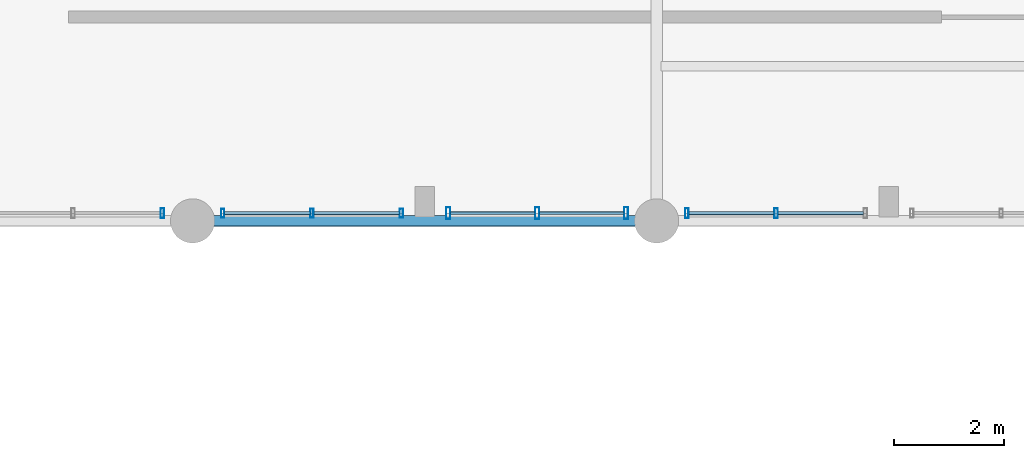
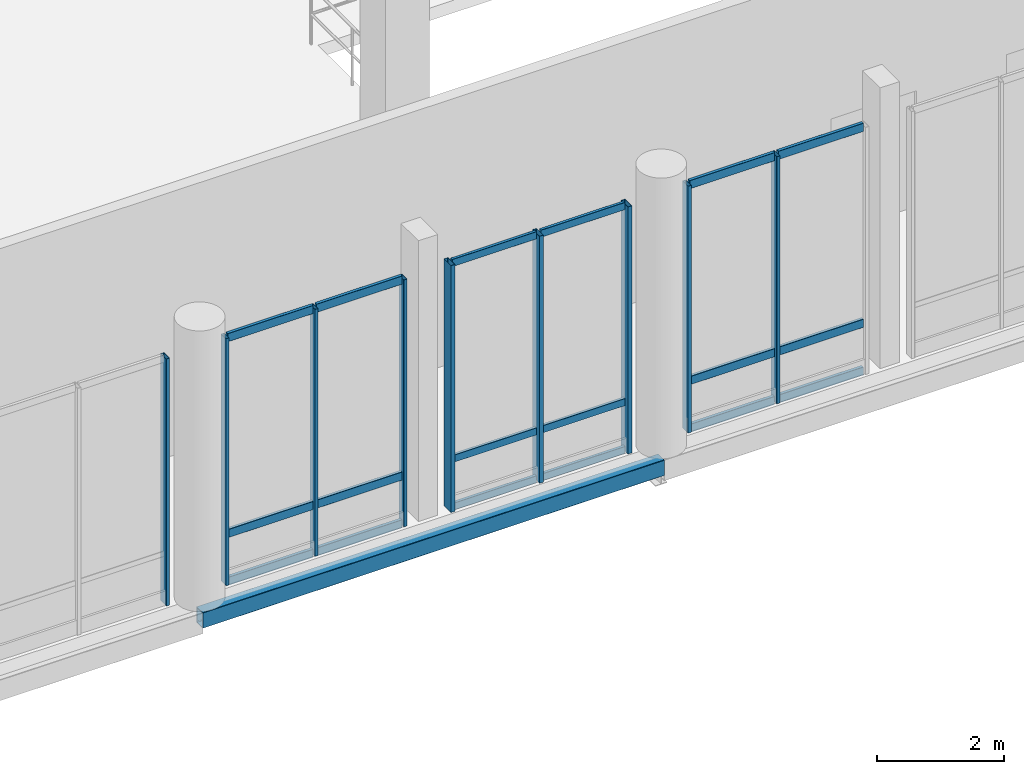
# One storey, part 24 of 128: 27 members, 1 beam, 4 elements without a shape of their own.
"""IFC4 building model written with IfcOpenShell, lengths in metres."""

from ifc_helpers import new_model, si_unit, direction, frame, origin_with_axes, origin_2d_with_axis, place, context, subcontext, project, spatial, hollow_rectangle, extrude, material, material_profile, profile_set, type_object, element, aggregate, save


model = new_model("IFC4")

# Units and contexts
model_context = context("Model", 3, precision=1e-05, world=origin_with_axes(), true_north=direction((0.0, 1.0)))
body_context = subcontext(model_context, "Body", "Model", "MODEL_VIEW")
ifc_project = project(units=[si_unit("LENGTHUNIT", "METRE"), si_unit("AREAUNIT", "SQUARE_METRE"), si_unit("VOLUMEUNIT", "CUBIC_METRE"), si_unit("PLANEANGLEUNIT", "RADIAN"), si_unit("MASSUNIT", "GRAM", prefix="KILO"), si_unit("THERMODYNAMICTEMPERATUREUNIT", "KELVIN")], contexts=[model_context])

# Site, building, storey
site_placement = place(None, origin_with_axes())
site = spatial("IfcSite", under=ifc_project, at=site_placement, CompositionType="ELEMENT")
building_placement = place(site_placement, origin_with_axes())
building = spatial("IfcBuilding", under=site, at=building_placement, Name="Montbau Bow Law Courts", CompositionType="ELEMENT")
storey_placement = place(building_placement, frame((0.0, 0.0, 5.4), z_axis=(0.0, 0.0, 1.0), x_axis=(1.0, 0.0, 0.0)))
storey = spatial("IfcBuildingStorey", under=building, at=storey_placement, Name="L01", CompositionType="ELEMENT", Elevation=5.4)

# Beam
ifc_material_1 = material(Name="Steel CSA G40.21 Grade 350WT (350 MPa)", Category="steel")
ifc_material_profile_1 = material_profile(ifc_material_1, hollow_rectangle(XDim=0.203, YDim=0.305, WallThickness=0.0127, InnerFilletRadius=0.0254, OuterFilletRadius=0.0127, at=origin_2d_with_axis()), Name="HSS305X203X13", Category="Main", Priority=0)
ifc_profile_set_1 = profile_set([ifc_material_profile_1], Name="Steel CSA G40.21 Grade 350WT (350 MPa)")
beam_type = type_object("IfcBeamType", Name="B-SPN-02", PredefinedType="SPANDREL", material=ifc_profile_set_1)
beam_placement = place(None, frame((55.2, 22.2, 5.008), z_axis=(1.0, 0.0, 0.0), x_axis=(0.0, 1.0, 0.0)))
element("IfcBeam", 1, at=beam_placement, inside=storey, type_object=beam_type, Name="SPN-L01-S1062:bm2_1065", PredefinedType="SPANDREL", context=body_context, shape_type="SweptSolid", body=[
    extrude(hollow_rectangle(XDim=0.203, YDim=0.305, WallThickness=0.0127, InnerFilletRadius=0.0254, OuterFilletRadius=0.0127, at=origin_2d_with_axis()), origin_with_axes(), (0.0, 0.0, 1.0), 8.4),
])

# Curtain wall, members
ifc_material_2 = material(Name="Thermally Broken Extruded Aluminium AA 6063-T6", Category="aluminium")
curtain_wall_type_1 = type_object("IfcCurtainWallType", Name="CW-WGC-02", PredefinedType="NOTDEFINED", material=ifc_material_2)
curtain_wall_1_placement = place(None, frame((59.79, 22.34, 5.4), z_axis=(0.0, 0.0, 1.0), x_axis=(1.0, 0.0, 0.0)))
curtain_wall_1 = element("IfcCurtainWall", 2, at=curtain_wall_1_placement, inside=storey, type_object=curtain_wall_type_1, Name="CW-L01-399:cw_0399", PredefinedType="NOTDEFINED")
ifc_material_profile_2 = material_profile(ifc_material_2, hollow_rectangle(XDim=0.075, YDim=0.22, WallThickness=0.005, InnerFilletRadius=0.01, OuterFilletRadius=0.005, at=origin_2d_with_axis()), Name="CWM-220X75", Category="Main", Priority=0)
ifc_profile_set_2 = profile_set([ifc_material_profile_2], Name="Thermally Broken Extruded Aluminium AA 6063-T6")
member_type_1 = type_object("IfcMemberType", Name="M-MUL-01", PredefinedType="MULLION", material=ifc_profile_set_2)
member_1_placement = place(None, frame((59.827, 22.34, 5.4), z_axis=(0.0, 0.0, 1.0), x_axis=(1.0, 0.0, 0.0)))
member_1 = element("IfcMember", 3, at=member_1_placement, type_object=member_type_1, Name="CW-L01-399-M01:cw_0399_M01", PredefinedType="MULLION", context=body_context, shape_type="SweptSolid", body=[
    extrude(hollow_rectangle(XDim=0.075, YDim=0.22, WallThickness=0.005, InnerFilletRadius=0.01, OuterFilletRadius=0.005, at=origin_2d_with_axis()), origin_with_axes(), (0.0, 0.0, 1.0), 4.75),
])
member_2_placement = place(None, frame((61.438, 22.34, 5.4), z_axis=(0.0, 0.0, 1.0), x_axis=(1.0, 0.0, 0.0)))
member_2 = element("IfcMember", 4, at=member_2_placement, type_object=member_type_1, Name="CW-L01-399-M02:cw_0399_M02", PredefinedType="MULLION", context=body_context, shape_type="SweptSolid", body=[
    extrude(hollow_rectangle(XDim=0.075, YDim=0.22, WallThickness=0.005, InnerFilletRadius=0.01, OuterFilletRadius=0.005, at=origin_2d_with_axis()), origin_with_axes(), (0.0, 0.0, 1.0), 4.75),
])
member_3_placement = place(None, frame((63.048, 22.34, 5.4), z_axis=(0.0, 0.0, 1.0), x_axis=(1.0, 0.0, 0.0)))
member_3 = element("IfcMember", 5, at=member_3_placement, type_object=member_type_1, Name="CW-L01-399-M03:cw_0399_M03", PredefinedType="MULLION", context=body_context, shape_type="SweptSolid", body=[
    extrude(hollow_rectangle(XDim=0.075, YDim=0.22, WallThickness=0.005, InnerFilletRadius=0.01, OuterFilletRadius=0.005, at=origin_2d_with_axis()), origin_with_axes(), (0.0, 0.0, 1.0), 4.75),
])

# Curtain wall, member
curtain_wall_2_placement = place(None, frame((51.39, 22.34, 5.4), z_axis=(0.0, 0.0, 1.0), x_axis=(1.0, 0.0, 0.0)))
curtain_wall_2 = element("IfcCurtainWall", 6, at=curtain_wall_2_placement, inside=storey, type_object=curtain_wall_type_1, Name="CW-L01-397:cw_0397", PredefinedType="NOTDEFINED")
ifc_material_profile_3 = material_profile(ifc_material_2, hollow_rectangle(XDim=0.065, YDim=0.18, WallThickness=0.005, InnerFilletRadius=0.01, OuterFilletRadius=0.005, at=origin_2d_with_axis()), Name="CWM-180X65", Category="Main", Priority=0)
ifc_profile_set_3 = profile_set([ifc_material_profile_3], Name="Thermally Broken Extruded Aluminium AA 6063-T6")
member_type_2 = type_object("IfcMemberType", Name="M-MUL-02", PredefinedType="MULLION", material=ifc_profile_set_3)
member_4_placement = place(None, frame((54.653, 22.34, 5.4), z_axis=(0.0, 0.0, 1.0), x_axis=(1.0, 0.0, 0.0)))
member_4 = element("IfcMember", 7, at=member_4_placement, type_object=member_type_2, Name="CW-L01-397-M03:cw_0397_M03", PredefinedType="MULLION", context=body_context, shape_type="SweptSolid", body=[
    extrude(hollow_rectangle(XDim=0.065, YDim=0.18, WallThickness=0.005, InnerFilletRadius=0.01, OuterFilletRadius=0.005, at=origin_2d_with_axis()), origin_with_axes(), (0.0, 0.0, 1.0), 4.75),
])
aggregate(curtain_wall_2, [member_4])

# Curtain wall, members
curtain_wall_type_2 = type_object("IfcCurtainWallType", Name="CW-WGC-01", PredefinedType="NOTDEFINED", material=ifc_material_2)
curtain_wall_3_placement = place(None, frame((64.115, 22.34, 5.4), z_axis=(0.0, 0.0, 1.0), x_axis=(1.0, 0.0, 0.0)))
curtain_wall_3 = element("IfcCurtainWall", 8, at=curtain_wall_3_placement, inside=storey, type_object=curtain_wall_type_2, Name="CW-L01-400:cw_0400", PredefinedType="NOTDEFINED")
member_5_placement = place(None, frame((64.148, 22.34, 5.4), z_axis=(0.0, 0.0, 1.0), x_axis=(1.0, 0.0, 0.0)))
member_5 = element("IfcMember", 9, at=member_5_placement, type_object=member_type_2, Name="CW-L01-400-M01:cw_0400_M01", PredefinedType="MULLION", context=body_context, shape_type="SweptSolid", body=[
    extrude(hollow_rectangle(XDim=0.065, YDim=0.18, WallThickness=0.005, InnerFilletRadius=0.01, OuterFilletRadius=0.005, at=origin_2d_with_axis()), origin_with_axes(), (0.0, 0.0, 1.0), 4.75),
])
member_6_placement = place(None, frame((65.763, 22.34, 5.4), z_axis=(0.0, 0.0, 1.0), x_axis=(1.0, 0.0, 0.0)))
member_6 = element("IfcMember", 10, at=member_6_placement, type_object=member_type_2, Name="CW-L01-400-M02:cw_0400_M02", PredefinedType="MULLION", context=body_context, shape_type="SweptSolid", body=[
    extrude(hollow_rectangle(XDim=0.065, YDim=0.18, WallThickness=0.005, InnerFilletRadius=0.01, OuterFilletRadius=0.005, at=origin_2d_with_axis()), origin_with_axes(), (0.0, 0.0, 1.0), 4.75),
])

curtain_wall_4_placement = place(None, frame((55.715, 22.34, 5.4), z_axis=(0.0, 0.0, 1.0), x_axis=(1.0, 0.0, 0.0)))
curtain_wall_4 = element("IfcCurtainWall", 11, at=curtain_wall_4_placement, inside=storey, type_object=curtain_wall_type_1, Name="CW-L01-398:cw_0398", PredefinedType="NOTDEFINED")
ifc_material_profile_4 = material_profile(ifc_material_2, hollow_rectangle(XDim=0.06, YDim=0.16, WallThickness=0.004, InnerFilletRadius=0.008, OuterFilletRadius=0.004, at=origin_2d_with_axis()), Name="CWM-160X60", Category="Main", Priority=0)
ifc_profile_set_4 = profile_set([ifc_material_profile_4], Name="Thermally Broken Extruded Aluminium AA 6063-T6")
member_type_3 = type_object("IfcMemberType", Name="M-MUL-03", PredefinedType="MULLION", material=ifc_profile_set_4)
member_7_placement = place(None, frame((55.745, 22.34, 5.4), z_axis=(0.0, 0.0, 1.0), x_axis=(1.0, 0.0, 0.0)))
member_7 = element("IfcMember", 12, at=member_7_placement, type_object=member_type_3, Name="CW-L01-398-M01:cw_0398_M01", PredefinedType="MULLION", context=body_context, shape_type="SweptSolid", body=[
    extrude(hollow_rectangle(XDim=0.06, YDim=0.16, WallThickness=0.004, InnerFilletRadius=0.008, OuterFilletRadius=0.004, at=origin_2d_with_axis()), origin_with_axes(), (0.0, 0.0, 1.0), 4.75),
])
member_8_placement = place(None, frame((57.362, 22.34, 5.4), z_axis=(0.0, 0.0, 1.0), x_axis=(1.0, 0.0, 0.0)))
member_8 = element("IfcMember", 13, at=member_8_placement, type_object=member_type_3, Name="CW-L01-398-M02:cw_0398_M02", PredefinedType="MULLION", context=body_context, shape_type="SweptSolid", body=[
    extrude(hollow_rectangle(XDim=0.06, YDim=0.16, WallThickness=0.004, InnerFilletRadius=0.008, OuterFilletRadius=0.004, at=origin_2d_with_axis()), origin_with_axes(), (0.0, 0.0, 1.0), 4.75),
])
member_9_placement = place(None, frame((58.98, 22.34, 5.4), z_axis=(0.0, 0.0, 1.0), x_axis=(1.0, 0.0, 0.0)))
member_9 = element("IfcMember", 14, at=member_9_placement, type_object=member_type_3, Name="CW-L01-398-M03:cw_0398_M03", PredefinedType="MULLION", context=body_context, shape_type="SweptSolid", body=[
    extrude(hollow_rectangle(XDim=0.06, YDim=0.16, WallThickness=0.004, InnerFilletRadius=0.008, OuterFilletRadius=0.004, at=origin_2d_with_axis()), origin_with_axes(), (0.0, 0.0, 1.0), 4.75),
])
ifc_material_profile_5 = material_profile(ifc_material_2, hollow_rectangle(XDim=0.06, YDim=0.16, WallThickness=0.004, InnerFilletRadius=0.008, OuterFilletRadius=0.004, at=origin_2d_with_axis()), Name="CWT-160X60", Category="Main", Priority=0)
ifc_profile_set_5 = profile_set([ifc_material_profile_5], Name="Thermally Broken Extruded Aluminium AA 6063-T6")
member_type_4 = type_object("IfcMemberType", Name="M-TRN-01", PredefinedType="USERDEFINED", material=ifc_profile_set_5)
member_10_placement = place(None, frame((55.777, 22.34, 5.43), z_axis=(1.0, 0.0, 0.0), x_axis=(0.0, 1.0, 0.0)))
member_10 = element("IfcMember", 15, at=member_10_placement, type_object=member_type_4, Name="CW-L01-398-T01-1:cw_0398_T01_1", ObjectType="TRANSOM", PredefinedType="USERDEFINED", context=body_context, shape_type="SweptSolid", body=[
    extrude(hollow_rectangle(XDim=0.06, YDim=0.16, WallThickness=0.004, InnerFilletRadius=0.008, OuterFilletRadius=0.004, at=origin_2d_with_axis()), origin_with_axes(), (0.0, 0.0, 1.0), 1.553),
])
member_11_placement = place(None, frame((55.777, 22.34, 6.35), z_axis=(1.0, 0.0, 0.0), x_axis=(0.0, 1.0, 0.0)))
member_11 = element("IfcMember", 16, at=member_11_placement, type_object=member_type_4, Name="CW-L01-398-T01-2:cw_0398_T01_2", ObjectType="TRANSOM", PredefinedType="USERDEFINED", context=body_context, shape_type="SweptSolid", body=[
    extrude(hollow_rectangle(XDim=0.06, YDim=0.16, WallThickness=0.004, InnerFilletRadius=0.008, OuterFilletRadius=0.004, at=origin_2d_with_axis()), origin_with_axes(), (0.0, 0.0, 1.0), 1.553),
])
member_12_placement = place(None, frame((55.777, 22.34, 10.12), z_axis=(1.0, 0.0, 0.0), x_axis=(0.0, 1.0, 0.0)))
member_12 = element("IfcMember", 17, at=member_12_placement, type_object=member_type_4, Name="CW-L01-398-T01-3:cw_0398_T01_3", ObjectType="TRANSOM", PredefinedType="USERDEFINED", context=body_context, shape_type="SweptSolid", body=[
    extrude(hollow_rectangle(XDim=0.06, YDim=0.16, WallThickness=0.004, InnerFilletRadius=0.008, OuterFilletRadius=0.004, at=origin_2d_with_axis()), origin_with_axes(), (0.0, 0.0, 1.0), 1.553),
])
member_13_placement = place(None, frame((57.394, 22.34, 5.43), z_axis=(1.0, 0.0, 0.0), x_axis=(0.0, 1.0, 0.0)))
member_13 = element("IfcMember", 18, at=member_13_placement, type_object=member_type_4, Name="CW-L01-398-T02-1:cw_0398_T02_1", ObjectType="TRANSOM", PredefinedType="USERDEFINED", context=body_context, shape_type="SweptSolid", body=[
    extrude(hollow_rectangle(XDim=0.06, YDim=0.16, WallThickness=0.004, InnerFilletRadius=0.008, OuterFilletRadius=0.004, at=origin_2d_with_axis()), origin_with_axes(), (0.0, 0.0, 1.0), 1.554),
])
member_14_placement = place(None, frame((57.394, 22.34, 6.35), z_axis=(1.0, 0.0, 0.0), x_axis=(0.0, 1.0, 0.0)))
member_14 = element("IfcMember", 19, at=member_14_placement, type_object=member_type_4, Name="CW-L01-398-T02-2:cw_0398_T02_2", ObjectType="TRANSOM", PredefinedType="USERDEFINED", context=body_context, shape_type="SweptSolid", body=[
    extrude(hollow_rectangle(XDim=0.06, YDim=0.16, WallThickness=0.004, InnerFilletRadius=0.008, OuterFilletRadius=0.004, at=origin_2d_with_axis()), origin_with_axes(), (0.0, 0.0, 1.0), 1.554),
])
member_15_placement = place(None, frame((57.394, 22.34, 10.12), z_axis=(1.0, 0.0, 0.0), x_axis=(0.0, 1.0, 0.0)))
member_15 = element("IfcMember", 20, at=member_15_placement, type_object=member_type_4, Name="CW-L01-398-T02-3:cw_0398_T02_3", ObjectType="TRANSOM", PredefinedType="USERDEFINED", context=body_context, shape_type="SweptSolid", body=[
    extrude(hollow_rectangle(XDim=0.06, YDim=0.16, WallThickness=0.004, InnerFilletRadius=0.008, OuterFilletRadius=0.004, at=origin_2d_with_axis()), origin_with_axes(), (0.0, 0.0, 1.0), 1.554),
])
aggregate(curtain_wall_4, [member_7, member_8, member_9, member_10, member_11, member_12, member_13, member_14, member_15])

# Member
member_16_placement = place(None, frame((64.183, 22.34, 5.43), z_axis=(1.0, 0.0, 0.0), x_axis=(0.0, 1.0, 0.0)))
member_16 = element("IfcMember", 21, at=member_16_placement, type_object=member_type_4, Name="CW-L01-400-T01-1:cw_0400_T01_1", ObjectType="TRANSOM", PredefinedType="USERDEFINED", context=body_context, shape_type="SweptSolid", body=[
    extrude(hollow_rectangle(XDim=0.06, YDim=0.16, WallThickness=0.004, InnerFilletRadius=0.008, OuterFilletRadius=0.004, at=origin_2d_with_axis()), origin_with_axes(), (0.0, 0.0, 1.0), 1.545),
])

member_17_placement = place(None, frame((64.183, 22.34, 6.35), z_axis=(1.0, 0.0, 0.0), x_axis=(0.0, 1.0, 0.0)))
member_17 = element("IfcMember", 22, at=member_17_placement, type_object=member_type_4, Name="CW-L01-400-T01-2:cw_0400_T01_2", ObjectType="TRANSOM", PredefinedType="USERDEFINED", context=body_context, shape_type="SweptSolid", body=[
    extrude(hollow_rectangle(XDim=0.06, YDim=0.16, WallThickness=0.004, InnerFilletRadius=0.008, OuterFilletRadius=0.004, at=origin_2d_with_axis()), origin_with_axes(), (0.0, 0.0, 1.0), 1.545),
])

member_18_placement = place(None, frame((64.183, 22.34, 10.12), z_axis=(1.0, 0.0, 0.0), x_axis=(0.0, 1.0, 0.0)))
member_18 = element("IfcMember", 23, at=member_18_placement, type_object=member_type_4, Name="CW-L01-400-T01-3:cw_0400_T01_3", ObjectType="TRANSOM", PredefinedType="USERDEFINED", context=body_context, shape_type="SweptSolid", body=[
    extrude(hollow_rectangle(XDim=0.06, YDim=0.16, WallThickness=0.004, InnerFilletRadius=0.008, OuterFilletRadius=0.004, at=origin_2d_with_axis()), origin_with_axes(), (0.0, 0.0, 1.0), 1.545),
])

member_19_placement = place(None, frame((65.797, 22.34, 5.43), z_axis=(1.0, 0.0, 0.0), x_axis=(0.0, 1.0, 0.0)))
member_19 = element("IfcMember", 24, at=member_19_placement, type_object=member_type_4, Name="CW-L01-400-T02-1:cw_0400_T02_1", ObjectType="TRANSOM", PredefinedType="USERDEFINED", context=body_context, shape_type="SweptSolid", body=[
    extrude(hollow_rectangle(XDim=0.06, YDim=0.16, WallThickness=0.004, InnerFilletRadius=0.008, OuterFilletRadius=0.004, at=origin_2d_with_axis()), origin_with_axes(), (0.0, 0.0, 1.0), 1.546),
])

member_20_placement = place(None, frame((65.797, 22.34, 6.35), z_axis=(1.0, 0.0, 0.0), x_axis=(0.0, 1.0, 0.0)))
member_20 = element("IfcMember", 25, at=member_20_placement, type_object=member_type_4, Name="CW-L01-400-T02-2:cw_0400_T02_2", ObjectType="TRANSOM", PredefinedType="USERDEFINED", context=body_context, shape_type="SweptSolid", body=[
    extrude(hollow_rectangle(XDim=0.06, YDim=0.16, WallThickness=0.004, InnerFilletRadius=0.008, OuterFilletRadius=0.004, at=origin_2d_with_axis()), origin_with_axes(), (0.0, 0.0, 1.0), 1.546),
])

member_21_placement = place(None, frame((65.797, 22.34, 10.12), z_axis=(1.0, 0.0, 0.0), x_axis=(0.0, 1.0, 0.0)))
member_21 = element("IfcMember", 26, at=member_21_placement, type_object=member_type_4, Name="CW-L01-400-T02-3:cw_0400_T02_3", ObjectType="TRANSOM", PredefinedType="USERDEFINED", context=body_context, shape_type="SweptSolid", body=[
    extrude(hollow_rectangle(XDim=0.06, YDim=0.16, WallThickness=0.004, InnerFilletRadius=0.008, OuterFilletRadius=0.004, at=origin_2d_with_axis()), origin_with_axes(), (0.0, 0.0, 1.0), 1.546),
])

aggregate(curtain_wall_3, [member_5, member_6, member_16, member_17, member_18, member_19, member_20, member_21])

ifc_material_profile_6 = material_profile(ifc_material_2, hollow_rectangle(XDim=0.055, YDim=0.14, WallThickness=0.004, InnerFilletRadius=0.008, OuterFilletRadius=0.004, at=origin_2d_with_axis()), Name="CWT-140X55", Category="Main", Priority=0)
ifc_profile_set_6 = profile_set([ifc_material_profile_6], Name="Thermally Broken Extruded Aluminium AA 6063-T6")
member_type_5 = type_object("IfcMemberType", Name="M-TRN-02", PredefinedType="USERDEFINED", material=ifc_profile_set_6)
member_22_placement = place(None, frame((59.866, 22.34, 5.428), z_axis=(1.0, 0.0, 0.0), x_axis=(0.0, 1.0, 0.0)))
member_22 = element("IfcMember", 27, at=member_22_placement, type_object=member_type_5, Name="CW-L01-399-T01-1:cw_0399_T01_1", ObjectType="TRANSOM", PredefinedType="USERDEFINED", context=body_context, shape_type="SweptSolid", body=[
    extrude(hollow_rectangle(XDim=0.055, YDim=0.14, WallThickness=0.004, InnerFilletRadius=0.008, OuterFilletRadius=0.004, at=origin_2d_with_axis()), origin_with_axes(), (0.0, 0.0, 1.0), 1.532),
])

member_23_placement = place(None, frame((59.866, 22.34, 6.35), z_axis=(1.0, 0.0, 0.0), x_axis=(0.0, 1.0, 0.0)))
member_23 = element("IfcMember", 28, at=member_23_placement, type_object=member_type_5, Name="CW-L01-399-T01-2:cw_0399_T01_2", ObjectType="TRANSOM", PredefinedType="USERDEFINED", context=body_context, shape_type="SweptSolid", body=[
    extrude(hollow_rectangle(XDim=0.055, YDim=0.14, WallThickness=0.004, InnerFilletRadius=0.008, OuterFilletRadius=0.004, at=origin_2d_with_axis()), origin_with_axes(), (0.0, 0.0, 1.0), 1.532),
])

member_24_placement = place(None, frame((59.866, 22.34, 10.123), z_axis=(1.0, 0.0, 0.0), x_axis=(0.0, 1.0, 0.0)))
member_24 = element("IfcMember", 29, at=member_24_placement, type_object=member_type_5, Name="CW-L01-399-T01-3:cw_0399_T01_3", ObjectType="TRANSOM", PredefinedType="USERDEFINED", context=body_context, shape_type="SweptSolid", body=[
    extrude(hollow_rectangle(XDim=0.055, YDim=0.14, WallThickness=0.004, InnerFilletRadius=0.008, OuterFilletRadius=0.004, at=origin_2d_with_axis()), origin_with_axes(), (0.0, 0.0, 1.0), 1.532),
])

member_25_placement = place(None, frame((61.478, 22.34, 5.428), z_axis=(1.0, 0.0, 0.0), x_axis=(0.0, 1.0, 0.0)))
member_25 = element("IfcMember", 30, at=member_25_placement, type_object=member_type_5, Name="CW-L01-399-T02-1:cw_0399_T02_1", ObjectType="TRANSOM", PredefinedType="USERDEFINED", context=body_context, shape_type="SweptSolid", body=[
    extrude(hollow_rectangle(XDim=0.055, YDim=0.14, WallThickness=0.004, InnerFilletRadius=0.008, OuterFilletRadius=0.004, at=origin_2d_with_axis()), origin_with_axes(), (0.0, 0.0, 1.0), 1.531),
])

member_26_placement = place(None, frame((61.478, 22.34, 6.35), z_axis=(1.0, 0.0, 0.0), x_axis=(0.0, 1.0, 0.0)))
member_26 = element("IfcMember", 31, at=member_26_placement, type_object=member_type_5, Name="CW-L01-399-T02-2:cw_0399_T02_2", ObjectType="TRANSOM", PredefinedType="USERDEFINED", context=body_context, shape_type="SweptSolid", body=[
    extrude(hollow_rectangle(XDim=0.055, YDim=0.14, WallThickness=0.004, InnerFilletRadius=0.008, OuterFilletRadius=0.004, at=origin_2d_with_axis()), origin_with_axes(), (0.0, 0.0, 1.0), 1.531),
])

member_27_placement = place(None, frame((61.478, 22.34, 10.123), z_axis=(1.0, 0.0, 0.0), x_axis=(0.0, 1.0, 0.0)))
member_27 = element("IfcMember", 32, at=member_27_placement, type_object=member_type_5, Name="CW-L01-399-T02-3:cw_0399_T02_3", ObjectType="TRANSOM", PredefinedType="USERDEFINED", context=body_context, shape_type="SweptSolid", body=[
    extrude(hollow_rectangle(XDim=0.055, YDim=0.14, WallThickness=0.004, InnerFilletRadius=0.008, OuterFilletRadius=0.004, at=origin_2d_with_axis()), origin_with_axes(), (0.0, 0.0, 1.0), 1.531),
])

aggregate(curtain_wall_1, [member_1, member_2, member_3, member_22, member_23, member_24, member_25, member_26, member_27])

save(model, "model.ifc")
